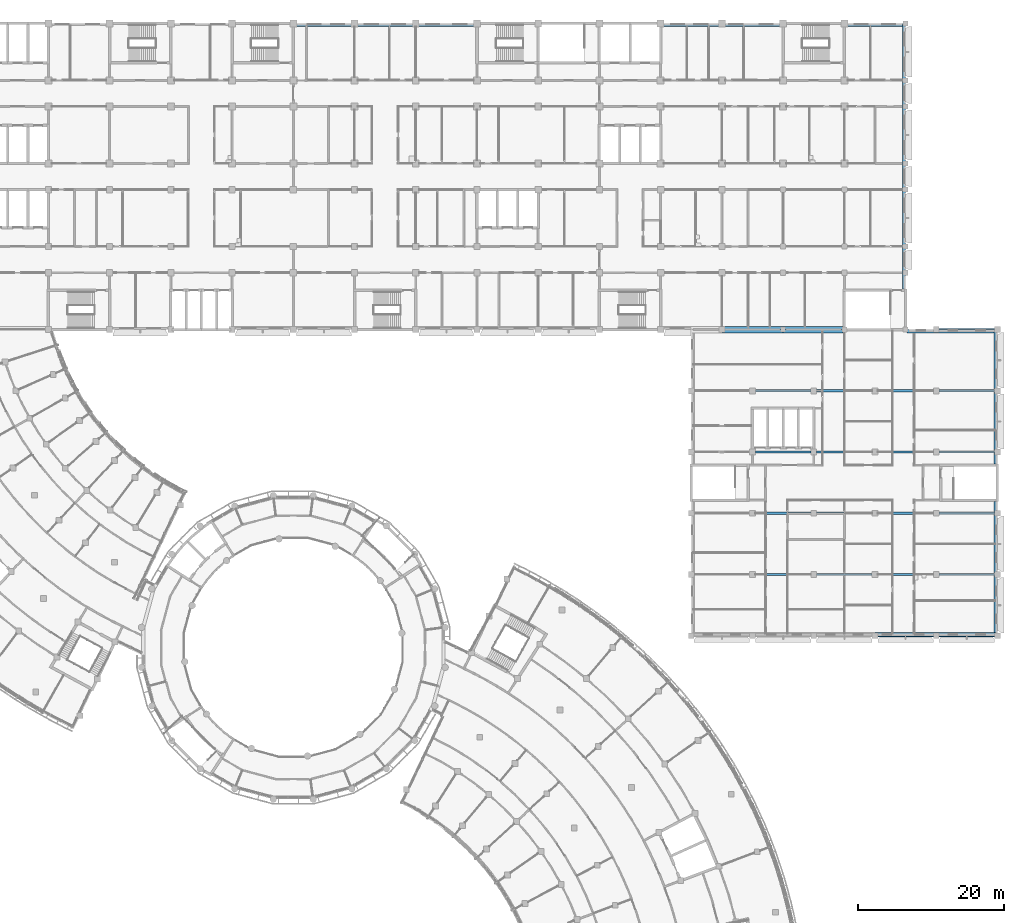
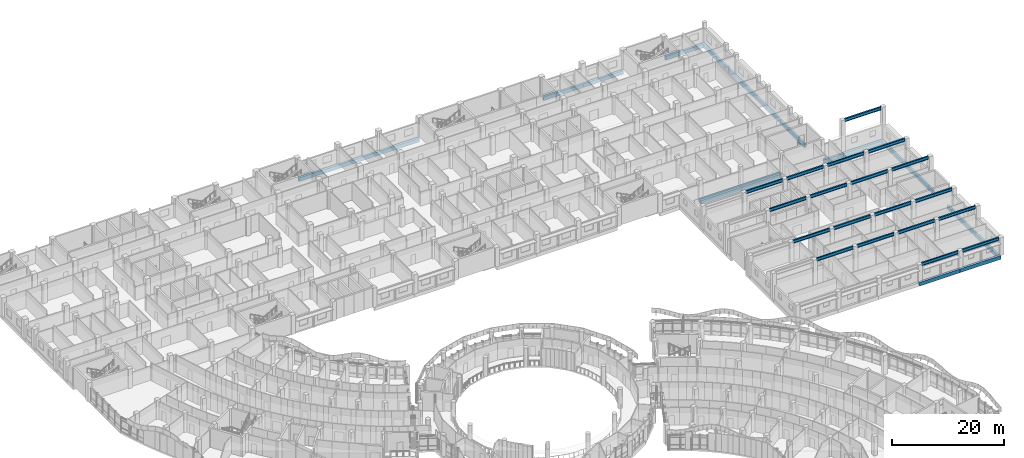
# One storey, part 29 of 109: 46 beams.
"""IFC4 building model written with IfcOpenShell, lengths in metres."""

import ifcopenshell
import ifcopenshell.guid

model = None  # the IFC model being written
_history = None  # IfcOwnerHistory: only IFC2X3 demands one
_inside = {}  # id of a spatial element -> (the spatial element, [elements in it])
_under = {}  # id of a project, library or spatial element -> (it, [spatial elements below it])
_declared = {}  # id of a project -> (the project, [libraries it declares])
_typed = {}  # id of a type object -> (the type object, [elements of that type])
_made_of = {}  # id of a material, layer set ... -> (it, [elements and type objects made of it])


def new_model(schema):
    """Start an empty IFC model of exactly this schema.

    Asked for "IFC4X3", IfcOpenShell would pick the latest addendum, in which some entities
    have other attributes; the version numbers below select the first issue.
    IFC2X3 requires an IfcOwnerHistory on every rooted entity: one is made here for all.
    """
    global model, _history
    if schema == "IFC4X3":
        model = ifcopenshell.file(schema_version=(4, 3, 0, 0))
    else:
        model = ifcopenshell.file(schema=schema)
    _inside.clear()
    _under.clear()
    _declared.clear()
    _typed.clear()
    _made_of.clear()
    _history = None
    if model.schema == "IFC2X3":
        org = make("IfcOrganization", Name="unknown")
        user = make(
            "IfcPersonAndOrganization",
            ThePerson=make("IfcPerson", FamilyName="unknown"),
            TheOrganization=org,
        )
        app = make(
            "IfcApplication",
            ApplicationDeveloper=org,
            Version="unknown",
            ApplicationFullName="unknown",
            ApplicationIdentifier="unknown",
        )
        _history = make(
            "IfcOwnerHistory",
            OwningUser=user,
            OwningApplication=app,
            ChangeAction="ADDED",
            CreationDate=0,
        )
    return model


def make(cls, **values):
    """One entity of the class cls with the attributes given. An attribute that is None is left unset."""
    return model.create_entity(
        cls, **{name: value for name, value in values.items() if value is not None}
    )


def rooted(cls, **values):
    """An entity with a GlobalId (a new one), such as an element, a storey or a relation."""
    return make(cls, GlobalId=ifcopenshell.guid.new(), OwnerHistory=_history, **values)


def si_unit(unit_type, name, prefix=None):
    """IfcSIUnit, for example si_unit("LENGTHUNIT", "METRE", prefix="MILLI")."""
    return make("IfcSIUnit", UnitType=unit_type, Prefix=prefix, Name=name)


def assignment(units):
    """IfcUnitAssignment: the units of a project."""
    return None if units is None else make("IfcUnitAssignment", Units=units)


def point(xyz):
    """IfcCartesianPoint."""
    return None if xyz is None else make("IfcCartesianPoint", Coordinates=xyz)


def direction(xyz):
    """IfcDirection."""
    return None if xyz is None else make("IfcDirection", DirectionRatios=xyz)


def frame(location, z_axis=None, x_axis=None):
    """IfcAxis2Placement3D, a coordinate frame: its origin and axes. An axis left out is left unset."""
    return make(
        "IfcAxis2Placement3D",
        Location=point(location),
        Axis=direction(z_axis),
        RefDirection=direction(x_axis),
    )


def frame_2d(location, x_axis=None):
    """IfcAxis2Placement2D, a coordinate frame in the plane: its origin and x axis."""
    return make(
        "IfcAxis2Placement2D", Location=point(location), RefDirection=direction(x_axis)
    )


def origin():
    """The frame at (0, 0, 0) with its axes left unset."""
    return frame((0.0, 0.0, 0.0))


def origin_2d():
    """The frame at (0, 0) in the plane with its x axis left unset."""
    return frame_2d((0.0, 0.0))


def place(relative_to, where):
    """IfcLocalPlacement: puts the frame where relative to a parent placement (None: the world)."""
    return make(
        "IfcLocalPlacement", PlacementRelTo=relative_to, RelativePlacement=where
    )


def context(
    kind, dimensions, precision=None, world=None, true_north=None, identifier=None
):
    """IfcGeometricRepresentationContext, for example the 3D "Model" context."""
    return make(
        "IfcGeometricRepresentationContext",
        ContextIdentifier=identifier,
        ContextType=kind,
        CoordinateSpaceDimension=dimensions,
        Precision=precision,
        WorldCoordinateSystem=world,
        TrueNorth=true_north,
    )


def subcontext(parent, identifier, kind, view, scale=None):
    """IfcGeometricRepresentationSubContext, for example "Body" below "Model"."""
    return make(
        "IfcGeometricRepresentationSubContext",
        ContextIdentifier=identifier,
        ContextType=kind,
        ParentContext=parent,
        TargetScale=scale,
        TargetView=view,
    )


def project(units=None, contexts=None):
    """IfcProject with its units and contexts."""
    return rooted(
        "IfcProject",
        Name="project",
        RepresentationContexts=contexts,
        UnitsInContext=assignment(units),
    )


def spatial(cls, under=None, at=None, **own):
    """A site, building, storey or space (cls), placed at a placement, below another one or the project."""
    s = rooted(cls, ObjectPlacement=at, **own)
    if under is not None:
        _under.setdefault(under.id(), (under, []))[1].append(s)
    return s


def profile(cls, at=None, kind="AREA", **sizes):
    """A parametric profile (cls). Its sizes go by their IFC names, for example OverallWidth=200.0."""
    return make(cls, ProfileType=kind, Position=at, **sizes)


def rectangle(**sizes):
    """IfcRectangleProfileDef."""
    return profile("IfcRectangleProfileDef", **sizes)


def i_section(**sizes):
    """IfcIShapeProfileDef."""
    return profile("IfcIShapeProfileDef", **sizes)


def extrude(swept, where, along, depth):
    """IfcExtrudedAreaSolid: the profile swept, set in the frame where, extruded along a direction by depth."""
    return make(
        "IfcExtrudedAreaSolid",
        SweptArea=swept,
        Position=where,
        ExtrudedDirection=direction(along),
        Depth=depth,
    )


def shape(context_of_items, identifier, shape_type, items):
    """IfcShapeRepresentation: the items that make up one representation, for example the "Body"."""
    return make(
        "IfcShapeRepresentation",
        ContextOfItems=context_of_items,
        RepresentationIdentifier=identifier,
        RepresentationType=shape_type,
        Items=items,
    )


def material(Name=None, Category=None):
    """IfcMaterial."""
    return make("IfcMaterial", Name=Name, Category=Category)


def material_profile(
    of_material, cross_section, Name=None, Category=None, Priority=None
):
    """IfcMaterialProfile: a cross section and its material."""
    return make(
        "IfcMaterialProfile",
        Name=Name,
        Material=of_material,
        Profile=cross_section,
        Priority=Priority,
        Category=Category,
    )


def profile_set(profiles, Name=None, composite=None):
    """IfcMaterialProfileSet."""
    return make(
        "IfcMaterialProfileSet",
        Name=Name,
        MaterialProfiles=profiles,
        CompositeProfile=composite,
    )


def made_of(thing, what):
    """Note that an element or type object is made of a material, layer set ...; save() writes the relation."""
    if what is not None:
        _made_of.setdefault(what.id(), (what, []))[1].append(thing)
    return thing


def type_object(cls, material=None, **own):
    """A type object (cls), such as IfcWallType, which elements share."""
    return made_of(rooted(cls, **own), material)


def element(
    cls,
    number,
    at=None,
    inside=None,
    cuts=None,
    type_object=None,
    material=None,
    context=None,
    identifier="Body",
    shape_type=None,
    held_by="IfcProductDefinitionShape",
    body=None,
    shapes=None,
    **own,
):
    """One element of the class cls, such as IfcWall. Its Tag is "e" and its number.

    at: its placement. inside: the storey or other place that contains it. cuts: it is an
    opening in that element (IfcRelVoidsElement). A single representation is given by context,
    identifier, shape_type and body (its items); several are given by shapes. held_by: the class
    of the entity that holds the representations. save() writes the other relations.
    """
    e = rooted(cls, Tag="e%d" % number, ObjectPlacement=at, **own)
    if body is not None:
        shapes = [shape(context, identifier, shape_type, body)]
    if shapes is not None:
        e.Representation = make(held_by, Representations=shapes)
    if inside is not None:
        _inside.setdefault(inside.id(), (inside, []))[1].append(e)
    if cuts is not None:
        rooted(
            "IfcRelVoidsElement", RelatingBuildingElement=cuts, RelatedOpeningElement=e
        )
    if type_object is not None:
        _typed.setdefault(type_object.id(), (type_object, []))[1].append(e)
    return made_of(e, material)


def aggregate(whole, parts):
    """IfcRelAggregates: a whole, such as a stair, and the parts it consists of."""
    return rooted("IfcRelAggregates", RelatingObject=whole, RelatedObjects=parts)


def save(model, path):
    """Write the relations noted so far, then the file.

    IfcRelAggregates (storeys below a building ...), IfcRelContainedInSpatialStructure (elements
    in a storey), IfcRelDefinesByType, IfcRelAssociatesMaterial and IfcRelDeclares: one each for
    every whole, place, type object, material and project.
    """
    for whole, parts in _under.values():
        aggregate(whole, parts)
    for where, things in _inside.values():
        rooted(
            "IfcRelContainedInSpatialStructure",
            RelatedElements=things,
            RelatingStructure=where,
        )
    for kind, things in _typed.values():
        rooted("IfcRelDefinesByType", RelatedObjects=things, RelatingType=kind)
    for what, things in _made_of.values():
        rooted("IfcRelAssociatesMaterial", RelatedObjects=things, RelatingMaterial=what)
    for by, libraries in _declared.values():
        rooted("IfcRelDeclares", RelatingContext=by, RelatedDefinitions=libraries)
    model.write(path)


model = new_model("IFC4")

# Units and contexts
model_context = context("Model", 3, precision=1e-05, world=origin(), true_north=direction((0.0, 1.0)))
body_context = subcontext(model_context, "Body", "Model", "MODEL_VIEW")
ifc_project = project(units=[si_unit("LENGTHUNIT", "METRE"), si_unit("AREAUNIT", "SQUARE_METRE"), si_unit("VOLUMEUNIT", "CUBIC_METRE"), si_unit("PLANEANGLEUNIT", "RADIAN"), si_unit("MASSUNIT", "GRAM", prefix="KILO")], contexts=[model_context])

# Site, building, storey
site_placement = place(None, origin())
site = spatial("IfcSite", under=ifc_project, at=site_placement, CompositionType="ELEMENT")
building_placement = place(site_placement, origin())
building = spatial("IfcBuilding", under=site, at=building_placement, Name="Bougainvillea Quay General Hospital", CompositionType="ELEMENT")
storey_placement = place(building_placement, frame((0.0, 0.0, 12.60009765625)))
storey = spatial("IfcBuildingStorey", under=building, at=storey_placement, Name="L02", CompositionType="ELEMENT", Elevation=12.60009765625)

# Beams
ifc_material_1 = material(Name="Steel Q355", Category="steel")
ifc_material_profile_1 = material_profile(ifc_material_1, i_section(OverallWidth=0.300048828125, OverallDepth=0.699951171875, WebThickness=0.012939453125, FlangeThickness=0.02392578125, FilletRadius=0.01806640625, at=origin_2d()))
ifc_profile_set_1 = profile_set([ifc_material_profile_1], Name="Steel Q355")
beam_type_1 = type_object("IfcBeamType", Name="HN 700x300x13x24 Q355", PredefinedType="BEAM", material=ifc_profile_set_1)
beam_1_placement = place(storey_placement, frame((189.39990234375, 75.60009765625, 3.559814453125), z_axis=(1.0, 0.0, 0.0), x_axis=(0.0, 1.0, 0.0)))
element("IfcBeam", 1, at=beam_1_placement, inside=storey, type_object=beam_type_1, Name="Roof girder", PredefinedType="BEAM", context=body_context, shape_type="SweptSolid", body=[
    extrude(i_section(OverallWidth=0.300048828125, OverallDepth=0.699951171875, WebThickness=0.012939453125, FlangeThickness=0.02392578125, FilletRadius=0.01806640625, at=origin_2d()), origin(), (0.0, 0.0, 1.0), 7.60009765625),
])
for number, where, z_axis, x_axis, name in (
    (2, (197.800048828125, 75.60009765625, 3.559814453125), (1.0, 0.0, 0.0), (0.0, 1.0, 0.0), "Roof girder"),
    (3, (172.60009765625, 84.0, 5.35986328125), (1.0, 0.0, 0.0), (0.0, 1.0, 0.0), "Roof girder"),
):
    element("IfcBeam", number, at=place(storey_placement, frame(where, z_axis=z_axis, x_axis=x_axis)), inside=storey, type_object=beam_type_1, Name=name, PredefinedType="BEAM", context=body_context, shape_type="SweptSolid", body=[
        extrude(i_section(OverallWidth=0.300048828125, OverallDepth=0.699951171875, WebThickness=0.012939453125, FlangeThickness=0.02392578125, FilletRadius=0.01806640625, at=origin_2d()), origin(), (0.0, 0.0, 1.0), 7.599853515625),
    ])
for number, where, z_axis, x_axis, name in (
    (4, (181.0, 84.0, 5.35986328125), (1.0, 0.0, 0.0), (0.0, 1.0, 0.0), "Roof girder"),
    (5, (189.39990234375, 84.0, 5.35986328125), (1.0, 0.0, 0.0), (0.0, 1.0, 0.0), "Roof girder"),
):
    element("IfcBeam", number, at=place(storey_placement, frame(where, z_axis=z_axis, x_axis=x_axis)), inside=storey, type_object=beam_type_1, Name=name, PredefinedType="BEAM", context=body_context, shape_type="SweptSolid", body=[
        extrude(i_section(OverallWidth=0.300048828125, OverallDepth=0.699951171875, WebThickness=0.012939453125, FlangeThickness=0.02392578125, FilletRadius=0.01806640625, at=origin_2d()), origin(), (0.0, 0.0, 1.0), 7.60009765625),
    ])
for number, where, z_axis, x_axis, name in (
    (6, (197.800048828125, 84.0, 5.35986328125), (1.0, 0.0, 0.0), (0.0, 1.0, 0.0), "Roof girder"),
    (7, (172.60009765625, 92.39990234375, 4.159912109375), (1.0, 0.0, 0.0), (0.0, 1.0, 0.0), "Roof girder"),
):
    element("IfcBeam", number, at=place(storey_placement, frame(where, z_axis=z_axis, x_axis=x_axis)), inside=storey, type_object=beam_type_1, Name=name, PredefinedType="BEAM", context=body_context, shape_type="SweptSolid", body=[
        extrude(i_section(OverallWidth=0.300048828125, OverallDepth=0.699951171875, WebThickness=0.012939453125, FlangeThickness=0.02392578125, FilletRadius=0.01806640625, at=origin_2d()), origin(), (0.0, 0.0, 1.0), 7.599853515625),
    ])
for number, where, z_axis, x_axis, name in (
    (8, (181.0, 92.39990234375, 4.159912109375), (1.0, 0.0, 0.0), (0.0, 1.0, 0.0), "Roof girder"),
    (9, (189.39990234375, 92.39990234375, 4.159912109375), (1.0, 0.0, 0.0), (0.0, 1.0, 0.0), "Roof girder"),
):
    element("IfcBeam", number, at=place(storey_placement, frame(where, z_axis=z_axis, x_axis=x_axis)), inside=storey, type_object=beam_type_1, Name=name, PredefinedType="BEAM", context=body_context, shape_type="SweptSolid", body=[
        extrude(i_section(OverallWidth=0.300048828125, OverallDepth=0.699951171875, WebThickness=0.012939453125, FlangeThickness=0.02392578125, FilletRadius=0.01806640625, at=origin_2d()), origin(), (0.0, 0.0, 1.0), 7.60009765625),
    ])
for number, where, z_axis, x_axis, name in (
    (10, (197.800048828125, 92.39990234375, 4.159912109375), (1.0, 0.0, 0.0), (0.0, 1.0, 0.0), "Roof girder"),
    (11, (172.60009765625, 100.800048828125, 5.9599609375), (1.0, 0.0, 0.0), (0.0, 1.0, 0.0), "Roof girder"),
):
    element("IfcBeam", number, at=place(storey_placement, frame(where, z_axis=z_axis, x_axis=x_axis)), inside=storey, type_object=beam_type_1, Name=name, PredefinedType="BEAM", context=body_context, shape_type="SweptSolid", body=[
        extrude(i_section(OverallWidth=0.300048828125, OverallDepth=0.699951171875, WebThickness=0.012939453125, FlangeThickness=0.02392578125, FilletRadius=0.01806640625, at=origin_2d()), origin(), (0.0, 0.0, 1.0), 7.599853515625),
    ])
for number, where, z_axis, x_axis, name in (
    (12, (181.0, 100.800048828125, 5.9599609375), (1.0, 0.0, 0.0), (0.0, 1.0, 0.0), "Roof girder"),
    (13, (189.39990234375, 100.800048828125, 5.9599609375), (1.0, 0.0, 0.0), (0.0, 1.0, 0.0), "Roof girder"),
):
    element("IfcBeam", number, at=place(storey_placement, frame(where, z_axis=z_axis, x_axis=x_axis)), inside=storey, type_object=beam_type_1, Name=name, PredefinedType="BEAM", context=body_context, shape_type="SweptSolid", body=[
        extrude(i_section(OverallWidth=0.300048828125, OverallDepth=0.699951171875, WebThickness=0.012939453125, FlangeThickness=0.02392578125, FilletRadius=0.01806640625, at=origin_2d()), origin(), (0.0, 0.0, 1.0), 7.60009765625),
    ])
for number, where, z_axis, x_axis, name in (
    (14, (197.800048828125, 100.800048828125, 5.9599609375), (1.0, 0.0, 0.0), (0.0, 1.0, 0.0), "Roof girder"),
    (15, (172.60009765625, 109.199951171875, 4.760009765625), (1.0, 0.0, 0.0), (0.0, 1.0, 0.0), "Roof girder"),
):
    element("IfcBeam", number, at=place(storey_placement, frame(where, z_axis=z_axis, x_axis=x_axis)), inside=storey, type_object=beam_type_1, Name=name, PredefinedType="BEAM", context=body_context, shape_type="SweptSolid", body=[
        extrude(i_section(OverallWidth=0.300048828125, OverallDepth=0.699951171875, WebThickness=0.012939453125, FlangeThickness=0.02392578125, FilletRadius=0.01806640625, at=origin_2d()), origin(), (0.0, 0.0, 1.0), 7.599853515625),
    ])
for number, where, z_axis, x_axis, name in (
    (16, (181.0, 109.199951171875, 4.760009765625), (1.0, 0.0, 0.0), (0.0, 1.0, 0.0), "Roof girder"),
    (17, (189.39990234375, 109.199951171875, 4.760009765625), (1.0, 0.0, 0.0), (0.0, 1.0, 0.0), "Roof girder"),
):
    element("IfcBeam", number, at=place(storey_placement, frame(where, z_axis=z_axis, x_axis=x_axis)), inside=storey, type_object=beam_type_1, Name=name, PredefinedType="BEAM", context=body_context, shape_type="SweptSolid", body=[
        extrude(i_section(OverallWidth=0.300048828125, OverallDepth=0.699951171875, WebThickness=0.012939453125, FlangeThickness=0.02392578125, FilletRadius=0.01806640625, at=origin_2d()), origin(), (0.0, 0.0, 1.0), 7.60009765625),
    ])
for number, where, z_axis, x_axis, name in (
    (18, (197.800048828125, 109.199951171875, 4.760009765625), (1.0, 0.0, 0.0), (0.0, 1.0, 0.0), "Roof girder"),
    (19, (197.800048828125, 117.60009765625, 6.559814453125), (1.0, 0.0, 0.0), (0.0, 1.0, 0.0), "Roof girder"),
):
    element("IfcBeam", number, at=place(storey_placement, frame(where, z_axis=z_axis, x_axis=x_axis)), inside=storey, type_object=beam_type_1, Name=name, PredefinedType="BEAM", context=body_context, shape_type="SweptSolid", body=[
        extrude(i_section(OverallWidth=0.300048828125, OverallDepth=0.699951171875, WebThickness=0.012939453125, FlangeThickness=0.02392578125, FilletRadius=0.01806640625, at=origin_2d()), origin(), (0.0, 0.0, 1.0), 7.599853515625),
    ])
ifc_material_2 = material(Name="Concrete C40", Category="concrete")
ifc_material_profile_2 = material_profile(ifc_material_2, rectangle(XDim=0.449951171875, YDim=0.800048828125, at=origin_2d()))
ifc_profile_set_2 = profile_set([ifc_material_profile_2], Name="Concrete C40")
beam_type_2 = type_object("IfcBeamType", Name="RC BEAM 450x800 C40", PredefinedType="BEAM", material=ifc_profile_set_2)
beam_2_placement = place(storey_placement, frame((189.0, 75.824951171875, -0.7001953125), z_axis=(1.0, 0.0, 0.0), x_axis=(0.0, 1.0, 0.0)))
element("IfcBeam", 20, at=beam_2_placement, inside=storey, type_object=beam_type_2, Name="Edge beam L02", PredefinedType="BEAM", context=body_context, shape_type="SweptSolid", body=[
    extrude(rectangle(XDim=0.449951171875, YDim=0.800048828125, at=origin_2d()), origin(), (0.0, 0.0, 1.0), 8.39990234375),
])
beam_3_placement = place(storey_placement, frame((197.39990234375, 75.824951171875, -0.7001953125), z_axis=(1.0, 0.0, 0.0), x_axis=(0.0, 1.0, 0.0)))
element("IfcBeam", 21, at=beam_3_placement, inside=storey, type_object=beam_type_2, Name="Edge beam L02", PredefinedType="BEAM", context=body_context, shape_type="SweptSolid", body=[
    extrude(rectangle(XDim=0.449951171875, YDim=0.800048828125, at=origin_2d()), origin(), (0.0, 0.0, 1.0), 8.400146484375),
])
for number, where, z_axis, x_axis, name in (
    (22, (205.574951171875, 75.60009765625, -0.7001953125), (0.0, 1.0, 0.0), (-1.0, 0.0, 0.0), "Edge beam L02"),
    (23, (205.574951171875, 84.0, -0.7001953125), (0.0, 1.0, 0.0), (-1.0, 0.0, 0.0), "Edge beam L02"),
):
    element("IfcBeam", number, at=place(storey_placement, frame(where, z_axis=z_axis, x_axis=x_axis)), inside=storey, type_object=beam_type_2, Name=name, PredefinedType="BEAM", context=body_context, shape_type="SweptSolid", body=[
        extrude(rectangle(XDim=0.449951171875, YDim=0.800048828125, at=origin_2d()), origin(), (0.0, 0.0, 1.0), 8.39990234375),
    ])
for number, where, z_axis, x_axis, name in (
    (24, (205.574951171875, 92.39990234375, -0.7001953125), (0.0, 1.0, 0.0), (-1.0, 0.0, 0.0), "Edge beam L02"),
    (25, (205.574951171875, 99.175048828125, -0.7001953125), (0.0, 1.0, 0.0), (-1.0, 0.0, 0.0), "Edge beam L02"),
):
    element("IfcBeam", number, at=place(storey_placement, frame(where, z_axis=z_axis, x_axis=x_axis)), inside=storey, type_object=beam_type_2, Name=name, PredefinedType="BEAM", context=body_context, shape_type="SweptSolid", body=[
        extrude(rectangle(XDim=0.449951171875, YDim=0.800048828125, at=origin_2d()), origin(), (0.0, 0.0, 1.0), 1.625),
    ])
beam_4_placement = place(storey_placement, frame((205.574951171875, 100.800048828125, -0.7001953125), z_axis=(0.0, 1.0, 0.0), x_axis=(-1.0, 0.0, 0.0)))
element("IfcBeam", 26, at=beam_4_placement, inside=storey, type_object=beam_type_2, Name="Edge beam L02", PredefinedType="BEAM", context=body_context, shape_type="SweptSolid", body=[
    extrude(rectangle(XDim=0.449951171875, YDim=0.800048828125, at=origin_2d()), origin(), (0.0, 0.0, 1.0), 8.39990234375),
])
for number, where, z_axis, x_axis, name in (
    (27, (205.574951171875, 109.199951171875, -0.7001953125), (0.0, 1.0, 0.0), (-1.0, 0.0, 0.0), "Edge beam L02"),
    (28, (205.800048828125, 117.375, -0.7001953125), (-1.0, 0.0, 0.0), (0.0, -1.0, 0.0), "Edge beam L02"),
):
    element("IfcBeam", number, at=place(storey_placement, frame(where, z_axis=z_axis, x_axis=x_axis)), inside=storey, type_object=beam_type_2, Name=name, PredefinedType="BEAM", context=body_context, shape_type="SweptSolid", body=[
        extrude(rectangle(XDim=0.449951171875, YDim=0.800048828125, at=origin_2d()), origin(), (0.0, 0.0, 1.0), 8.400146484375),
    ])
beam_5_placement = place(storey_placement, frame((197.39990234375, 117.375, -0.7001953125), z_axis=(-1.0, 0.0, 0.0), x_axis=(0.0, -1.0, 0.0)))
element("IfcBeam", 29, at=beam_5_placement, inside=storey, type_object=beam_type_2, Name="Edge beam L02", PredefinedType="BEAM", context=body_context, shape_type="SweptSolid", body=[
    extrude(rectangle(XDim=0.449951171875, YDim=0.800048828125, at=origin_2d()), origin(), (0.0, 0.0, 1.0), 4.02490234375),
])
beam_6_placement = place(storey_placement, frame((184.625, 117.375, -0.7001953125), z_axis=(-1.0, 0.0, 0.0), x_axis=(0.0, -1.0, 0.0)))
element("IfcBeam", 30, at=beam_6_placement, inside=storey, type_object=beam_type_2, Name="Edge beam L02", PredefinedType="BEAM", context=body_context, shape_type="SweptSolid", body=[
    extrude(rectangle(XDim=0.449951171875, YDim=0.800048828125, at=origin_2d()), origin(), (0.0, 0.0, 1.0), 8.22509765625),
])
for number, where, z_axis, x_axis, name in (
    (31, (176.39990234375, 117.375, -0.7001953125), (-1.0, 0.0, 0.0), (0.0, -1.0, 0.0), "Edge beam L02"),
    (32, (168.0, 117.824951171875, -0.7001953125), (1.0, 0.0, 0.0), (0.0, 1.0, 0.0), "Edge beam L02"),
):
    element("IfcBeam", number, at=place(storey_placement, frame(where, z_axis=z_axis, x_axis=x_axis)), inside=storey, type_object=beam_type_2, Name=name, PredefinedType="BEAM", context=body_context, shape_type="SweptSolid", body=[
        extrude(rectangle(XDim=0.449951171875, YDim=0.800048828125, at=origin_2d()), origin(), (0.0, 0.0, 1.0), 8.39990234375),
    ])
beam_7_placement = place(storey_placement, frame((176.39990234375, 117.824951171875, -0.7001953125), z_axis=(1.0, 0.0, 0.0), x_axis=(0.0, 1.0, 0.0)))
element("IfcBeam", 33, at=beam_7_placement, inside=storey, type_object=beam_type_2, Name="Edge beam L02", PredefinedType="BEAM", context=body_context, shape_type="SweptSolid", body=[
    extrude(rectangle(XDim=0.449951171875, YDim=0.800048828125, at=origin_2d()), origin(), (0.0, 0.0, 1.0), 8.22509765625),
])
beam_8_placement = place(storey_placement, frame((192.97509765625, 123.175048828125, -0.7001953125), z_axis=(0.0, 1.0, 0.0), x_axis=(-1.0, 0.0, 0.0)))
element("IfcBeam", 34, at=beam_8_placement, inside=storey, type_object=beam_type_2, Name="Edge beam L02", PredefinedType="BEAM", context=body_context, shape_type="SweptSolid", body=[
    extrude(rectangle(XDim=0.449951171875, YDim=0.800048828125, at=origin_2d()), origin(), (0.0, 0.0, 1.0), 2.224853515625),
])
beam_9_placement = place(storey_placement, frame((192.97509765625, 125.39990234375, -0.7001953125), z_axis=(0.0, 1.0, 0.0), x_axis=(-1.0, 0.0, 0.0)))
element("IfcBeam", 35, at=beam_9_placement, inside=storey, type_object=beam_type_2, Name="Edge beam L02", PredefinedType="BEAM", context=body_context, shape_type="SweptSolid", body=[
    extrude(rectangle(XDim=0.449951171875, YDim=0.800048828125, at=origin_2d()), origin(), (0.0, 0.0, 1.0), 3.60009765625),
])
beam_10_placement = place(storey_placement, frame((192.97509765625, 129.0, -0.7001953125), z_axis=(0.0, 1.0, 0.0), x_axis=(-1.0, 0.0, 0.0)))
element("IfcBeam", 36, at=beam_10_placement, inside=storey, type_object=beam_type_2, Name="Edge beam L02", PredefinedType="BEAM", context=body_context, shape_type="SweptSolid", body=[
    extrude(rectangle(XDim=0.449951171875, YDim=0.800048828125, at=origin_2d()), origin(), (0.0, 0.0, 1.0), 7.800048828125),
])
beam_11_placement = place(storey_placement, frame((192.97509765625, 136.800048828125, -0.7001953125), z_axis=(0.0, 1.0, 0.0), x_axis=(-1.0, 0.0, 0.0)))
element("IfcBeam", 37, at=beam_11_placement, inside=storey, type_object=beam_type_2, Name="Edge beam L02", PredefinedType="BEAM", context=body_context, shape_type="SweptSolid", body=[
    extrude(rectangle(XDim=0.449951171875, YDim=0.800048828125, at=origin_2d()), origin(), (0.0, 0.0, 1.0), 3.599853515625),
])
beam_12_placement = place(storey_placement, frame((192.97509765625, 140.39990234375, -0.7001953125), z_axis=(0.0, 1.0, 0.0), x_axis=(-1.0, 0.0, 0.0)))
element("IfcBeam", 38, at=beam_12_placement, inside=storey, type_object=beam_type_2, Name="Edge beam L02", PredefinedType="BEAM", context=body_context, shape_type="SweptSolid", body=[
    extrude(rectangle(XDim=0.449951171875, YDim=0.800048828125, at=origin_2d()), origin(), (0.0, 0.0, 1.0), 7.800048828125),
])
beam_13_placement = place(storey_placement, frame((192.97509765625, 148.199951171875, -0.7001953125), z_axis=(0.0, 1.0, 0.0), x_axis=(-1.0, 0.0, 0.0)))
element("IfcBeam", 39, at=beam_13_placement, inside=storey, type_object=beam_type_2, Name="Edge beam L02", PredefinedType="BEAM", context=body_context, shape_type="SweptSolid", body=[
    extrude(rectangle(XDim=0.449951171875, YDim=0.800048828125, at=origin_2d()), origin(), (0.0, 0.0, 1.0), 3.60009765625),
])
beam_14_placement = place(storey_placement, frame((192.97509765625, 151.800048828125, -0.7001953125), z_axis=(0.0, 1.0, 0.0), x_axis=(-1.0, 0.0, 0.0)))
element("IfcBeam", 40, at=beam_14_placement, inside=storey, type_object=beam_type_2, Name="Edge beam L02", PredefinedType="BEAM", context=body_context, shape_type="SweptSolid", body=[
    extrude(rectangle(XDim=0.449951171875, YDim=0.800048828125, at=origin_2d()), origin(), (0.0, 0.0, 1.0), 7.800048828125),
])
beam_15_placement = place(storey_placement, frame((193.199951171875, 159.375, -0.7001953125), z_axis=(-1.0, 0.0, 0.0), x_axis=(0.0, -1.0, 0.0)))
element("IfcBeam", 41, at=beam_15_placement, inside=storey, type_object=beam_type_2, Name="Edge beam L02", PredefinedType="BEAM", context=body_context, shape_type="SweptSolid", body=[
    extrude(rectangle(XDim=0.449951171875, YDim=0.800048828125, at=origin_2d()), origin(), (0.0, 0.0, 1.0), 8.224853515625),
])
for number, where, z_axis, x_axis, name in (
    (42, (176.22509765625, 159.375, -0.7001953125), (-1.0, 0.0, 0.0), (0.0, -1.0, 0.0), "Edge beam L02"),
    (43, (168.0, 159.375, -0.7001953125), (-1.0, 0.0, 0.0), (0.0, -1.0, 0.0), "Edge beam L02"),
    (44, (134.22509765625, 159.375, -0.7001953125), (-1.0, 0.0, 0.0), (0.0, -1.0, 0.0), "Edge beam L02"),
):
    element("IfcBeam", number, at=place(storey_placement, frame(where, z_axis=z_axis, x_axis=x_axis)), inside=storey, type_object=beam_type_2, Name=name, PredefinedType="BEAM", context=body_context, shape_type="SweptSolid", body=[
        extrude(rectangle(XDim=0.449951171875, YDim=0.800048828125, at=origin_2d()), origin(), (0.0, 0.0, 1.0), 8.22509765625),
    ])
beam_16_placement = place(storey_placement, frame((126.0, 159.375, -0.7001953125), z_axis=(-1.0, 0.0, 0.0), x_axis=(0.0, -1.0, 0.0)))
element("IfcBeam", 45, at=beam_16_placement, inside=storey, type_object=beam_type_2, Name="Edge beam L02", PredefinedType="BEAM", context=body_context, shape_type="SweptSolid", body=[
    extrude(rectangle(XDim=0.449951171875, YDim=0.800048828125, at=origin_2d()), origin(), (0.0, 0.0, 1.0), 8.39990234375),
])
beam_17_placement = place(storey_placement, frame((117.60009765625, 159.375, -0.7001953125), z_axis=(-1.0, 0.0, 0.0), x_axis=(0.0, -1.0, 0.0)))
element("IfcBeam", 46, at=beam_17_placement, inside=storey, type_object=beam_type_2, Name="Edge beam L02", PredefinedType="BEAM", context=body_context, shape_type="SweptSolid", body=[
    extrude(rectangle(XDim=0.449951171875, YDim=0.800048828125, at=origin_2d()), origin(), (0.0, 0.0, 1.0), 8.22509765625),
])

save(model, "model.ifc")
